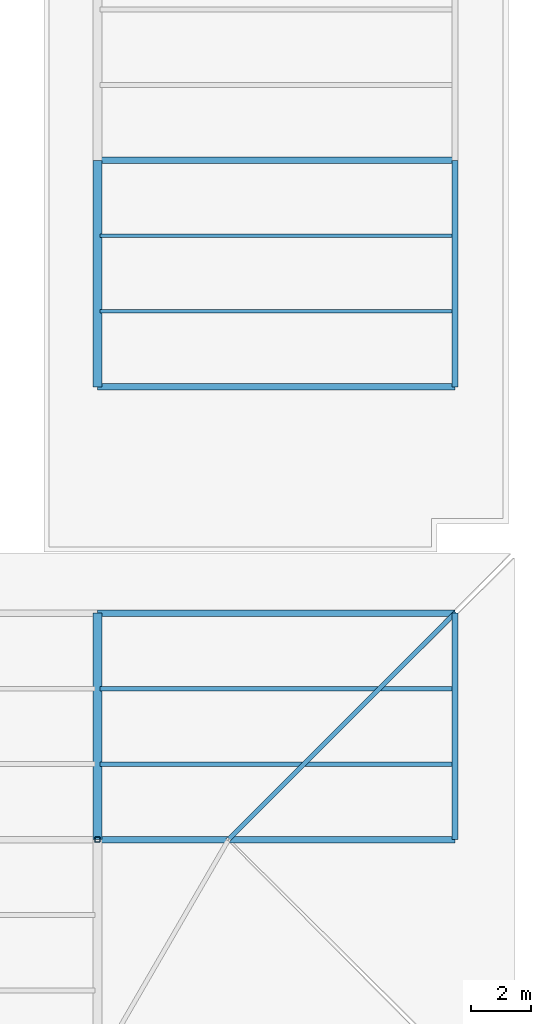
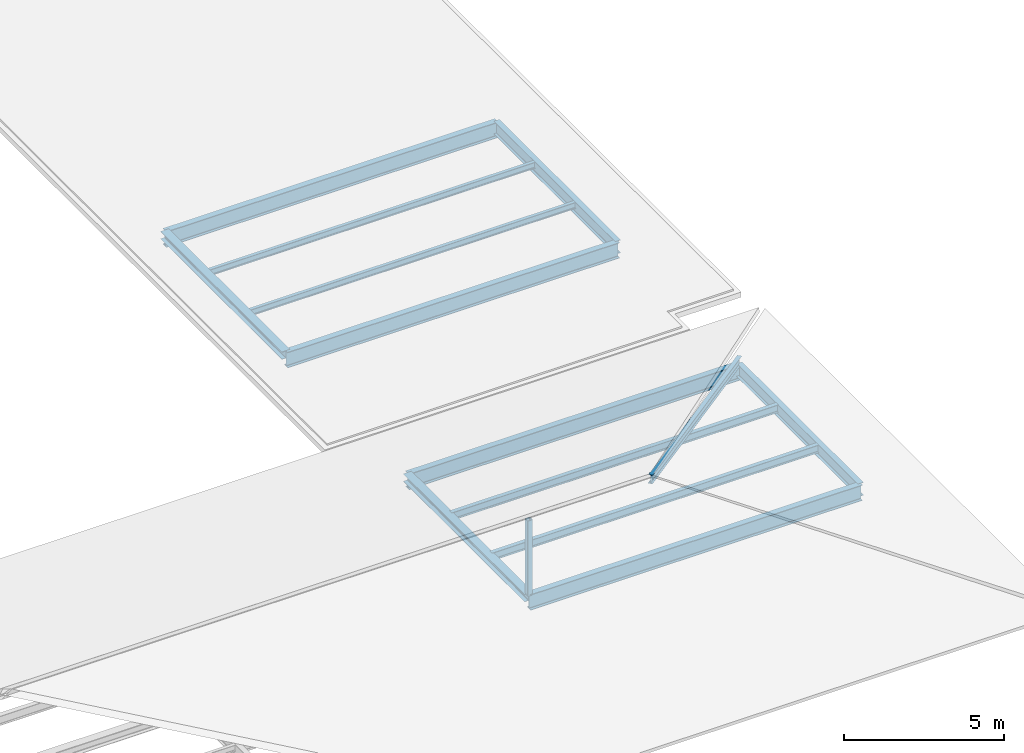
# One storey, part 56 of 120: 12 beams, 2 members.
"""IFC4 building model written with IfcOpenShell, lengths in metres."""

from ifc_helpers import new_model, si_unit, direction, frame, origin, origin_2d, place, context, subcontext, project, spatial, hollow_rectangle, i_section, extrude, material, material_profile, profile_set, type_object, element, save


model = new_model("IFC4")

# Units and contexts
model_context = context("Model", 3, precision=1e-05, world=origin(), true_north=direction((0.0, 1.0)))
body_context = subcontext(model_context, "Body", "Model", "MODEL_VIEW")
ifc_project = project(units=[si_unit("LENGTHUNIT", "METRE"), si_unit("AREAUNIT", "SQUARE_METRE"), si_unit("VOLUMEUNIT", "CUBIC_METRE"), si_unit("PLANEANGLEUNIT", "RADIAN"), si_unit("MASSUNIT", "GRAM", prefix="KILO")], contexts=[model_context])

# Site, building, storey
site_placement = place(None, origin())
site = spatial("IfcSite", under=ifc_project, at=site_placement, CompositionType="ELEMENT")
building_placement = place(site_placement, origin())
building = spatial("IfcBuilding", under=site, at=building_placement, Name="Vekula Escarpment Museum", CompositionType="ELEMENT")
storey_placement = place(building_placement, frame((0.0, 0.0, 13.199951171875)))
storey = spatial("IfcBuildingStorey", under=building, at=storey_placement, Name="L03", CompositionType="ELEMENT", Elevation=13.199951171875)

# Beams
ifc_material_1 = material(Name="Steel S355", Category="steel")
ifc_material_profile_1 = material_profile(ifc_material_1, i_section(OverallWidth=0.199951171875, OverallDepth=0.5, WebThickness=0.01025390625, FlangeThickness=0.01611328125, FilletRadius=0.02099609375, at=origin_2d()), Name="IPE 500")
ifc_profile_set_1 = profile_set([ifc_material_profile_1], Name="Steel S355")
beam_type_1 = type_object("IfcBeamType", Name="BM-GIRD-IPE500", PredefinedType="BEAM", material=ifc_profile_set_1)
for number, where, z_axis, x_axis, name in (
    (1, (179.0, 7.60009765625, -0.5), (0.0, 1.0, 0.0), (-1.0, 0.0, 0.0), "Beam Y L03 1657"),
    (2, (179.0, 22.800048828125, -0.449951171875), (0.0, 1.0, 0.0), (-1.0, 0.0, 0.0), "Beam Y L03 1658"),
):
    element("IfcBeam", number, at=place(storey_placement, frame(where, z_axis=z_axis, x_axis=x_axis)), inside=storey, type_object=beam_type_1, Name=name, PredefinedType="BEAM", context=body_context, shape_type="SweptSolid", body=[
        extrude(i_section(OverallWidth=0.199951171875, OverallDepth=0.5, WebThickness=0.01025390625, FlangeThickness=0.01611328125, FilletRadius=0.02099609375, at=origin_2d()), origin(), (0.0, 0.0, 1.0), 7.599853515625),
    ])
ifc_material_2 = material(Name="Steel S355", Category="steel")
ifc_material_profile_2 = material_profile(ifc_material_2, i_section(OverallWidth=0.219970703125, OverallDepth=0.60009765625, WebThickness=0.011962890625, FlangeThickness=0.01904296875, FilletRadius=0.02392578125, at=origin_2d()), Name="IPE 600")
ifc_profile_set_2 = profile_set([ifc_material_profile_2], Name="Steel S355")
beam_type_2 = type_object("IfcBeamType", Name="BM-GIRD-IPE600", PredefinedType="BEAM", material=ifc_profile_set_2)
for number, where, z_axis, x_axis, name in (
    (3, (167.0, 7.60009765625, -0.550048828125), (1.0, 0.0, 0.0), (0.0, 1.0, 0.0), "Beam X L03 1291"),
    (4, (167.0, 15.199951171875, -0.550048828125), (1.0, 0.0, 0.0), (0.0, 1.0, 0.0), "Beam X L03 1304"),
    (5, (167.0, 22.800048828125, -0.5), (1.0, 0.0, 0.0), (0.0, 1.0, 0.0), "Beam X L03 1309"),
    (6, (167.0, 30.39990234375, -0.5), (1.0, 0.0, 0.0), (0.0, 1.0, 0.0), "Beam X L03 1311"),
):
    element("IfcBeam", number, at=place(storey_placement, frame(where, z_axis=z_axis, x_axis=x_axis)), inside=storey, type_object=beam_type_2, Name=name, PredefinedType="BEAM", context=body_context, shape_type="SweptSolid", body=[
        extrude(i_section(OverallWidth=0.219970703125, OverallDepth=0.60009765625, WebThickness=0.011962890625, FlangeThickness=0.01904296875, FilletRadius=0.02392578125, at=origin_2d()), origin(), (0.0, 0.0, 1.0), 12.0),
    ])
ifc_material_3 = material(Name="Steel S355", Category="steel")
ifc_material_profile_3 = material_profile(ifc_material_3, i_section(OverallWidth=0.1201171875, OverallDepth=0.239990234375, WebThickness=0.006103515625, FlangeThickness=0.009765625, FilletRadius=0.014892578125, at=origin_2d()), Name="IPE 240")
ifc_profile_set_3 = profile_set([ifc_material_profile_3], Name="Steel S355")
beam_type_3 = type_object("IfcBeamType", Name="BM-JST-IPE240", PredefinedType="JOIST", material=ifc_profile_set_3)
for number, where, z_axis, x_axis, name in (
    (7, (167.090087890625, 25.333251953125, -0.320068359375), (1.0, 0.0, 0.0), (0.0, 1.0, 0.0), "Secondary Joist L03 1094"),
    (8, (167.090087890625, 27.86669921875, -0.320068359375), (1.0, 0.0, 0.0), (0.0, 1.0, 0.0), "Secondary Joist L03 1095"),
):
    element("IfcBeam", number, at=place(storey_placement, frame(where, z_axis=z_axis, x_axis=x_axis)), inside=storey, type_object=beam_type_3, Name=name, PredefinedType="JOIST", context=body_context, shape_type="SweptSolid", body=[
        extrude(i_section(OverallWidth=0.1201171875, OverallDepth=0.239990234375, WebThickness=0.006103515625, FlangeThickness=0.009765625, FilletRadius=0.014892578125, at=origin_2d()), origin(), (0.0, 0.0, 1.0), 11.81982421875),
    ])
ifc_material_4 = material(Name="Steel S355", Category="steel")
ifc_material_profile_4 = material_profile(ifc_material_4, i_section(OverallWidth=0.14990234375, OverallDepth=0.300048828125, WebThickness=0.007080078125, FlangeThickness=0.0107421875, FilletRadius=0.014892578125, at=origin_2d()), Name="IPE 300")
ifc_profile_set_4 = profile_set([ifc_material_profile_4], Name="Steel S355")
beam_type_4 = type_object("IfcBeamType", Name="BM-JST-IPE300", PredefinedType="JOIST", material=ifc_profile_set_4)
for number, where, z_axis, x_axis, name in (
    (9, (167.090087890625, 10.13330078125, -0.39990234375), (1.0, 0.0, 0.0), (0.0, 1.0, 0.0), "Secondary Joist L03 1092"),
    (10, (167.090087890625, 12.666748046875, -0.39990234375), (1.0, 0.0, 0.0), (0.0, 1.0, 0.0), "Secondary Joist L03 1093"),
):
    element("IfcBeam", number, at=place(storey_placement, frame(where, z_axis=z_axis, x_axis=x_axis)), inside=storey, type_object=beam_type_4, Name=name, PredefinedType="JOIST", context=body_context, shape_type="SweptSolid", body=[
        extrude(i_section(OverallWidth=0.14990234375, OverallDepth=0.300048828125, WebThickness=0.007080078125, FlangeThickness=0.0107421875, FilletRadius=0.014892578125, at=origin_2d()), origin(), (0.0, 0.0, 1.0), 11.81982421875),
    ])
ifc_material_5 = material(Name="Steel S355", Category="steel")
ifc_material_profile_5 = material_profile(ifc_material_5, i_section(OverallWidth=0.300048828125, OverallDepth=0.2900390625, WebThickness=0.008544921875, FlangeThickness=0.013916015625, FilletRadius=0.027099609375, at=origin_2d()), Name="HEA 300")
ifc_profile_set_5 = profile_set([ifc_material_profile_5], Name="Steel S355")
beam_type_5 = type_object("IfcBeamType", Name="BM-SPAN-HEA300", PredefinedType="SPANDREL", material=ifc_profile_set_5)
for number, where, z_axis, x_axis, name in (
    (11, (167.0, 7.60009765625, -0.39501953125), (0.0, 1.0, 0.0), (-1.0, 0.0, 0.0), "Beam Y L03 1641"),
    (12, (167.0, 22.800048828125, -0.344970703125), (0.0, 1.0, 0.0), (-1.0, 0.0, 0.0), "Beam Y L03 1642"),
):
    element("IfcBeam", number, at=place(storey_placement, frame(where, z_axis=z_axis, x_axis=x_axis)), inside=storey, type_object=beam_type_5, Name=name, PredefinedType="SPANDREL", context=body_context, shape_type="SweptSolid", body=[
        extrude(i_section(OverallWidth=0.300048828125, OverallDepth=0.2900390625, WebThickness=0.008544921875, FlangeThickness=0.013916015625, FilletRadius=0.027099609375, at=origin_2d()), origin(), (0.0, 0.0, 1.0), 7.599853515625),
    ])

# Members
ifc_material_6 = material(Name="Steel S355", Category="steel")
ifc_material_profile_6 = material_profile(ifc_material_6, i_section(OverallWidth=0.14990234375, OverallDepth=0.300048828125, WebThickness=0.007080078125, FlangeThickness=0.0107421875, FilletRadius=0.014892578125, at=origin_2d()), Name="IPE 300")
ifc_profile_set_6 = profile_set([ifc_material_profile_6], Name="Steel S355")
member_type_1 = type_object("IfcMemberType", Name="MB-HIP-RAFTER", PredefinedType="CHORD", material=ifc_profile_set_6)
member_1_placement = place(storey_placement, frame((179.0, 15.199951171875, -0.14990234375), z_axis=(-0.685659277486, -0.685637251811, 0.244484997754), x_axis=(0.707095423592, -0.707118138598, 0.0)))
element("IfcMember", 13, at=member_1_placement, inside=storey, type_object=member_type_1, Name="Entry Pavilion Hip Rafter 4", PredefinedType="CHORD", context=body_context, shape_type="SweptSolid", body=[
    extrude(i_section(OverallWidth=0.14990234375, OverallDepth=0.300048828125, WebThickness=0.007080078125, FlangeThickness=0.0107421875, FilletRadius=0.014892578125, at=origin_2d()), origin(), (0.0, 0.0, 1.0), 11.08447265625),
])
ifc_material_7 = material(Name="Steel S355", Category="steel")
ifc_material_profile_7 = material_profile(ifc_material_7, hollow_rectangle(XDim=0.179931640625, YDim=0.179931640625, WallThickness=0.010009765625, InnerFilletRadius=0.010009765625, OuterFilletRadius=0.02001953125, at=origin_2d()), Name="SHS 180x180x10")
ifc_profile_set_7 = profile_set([ifc_material_profile_7], Name="Steel S355")
member_type_2 = type_object("IfcMemberType", Name="MB-POST-SHS180", PredefinedType="STRUT", material=ifc_profile_set_7)
member_2_placement = place(storey_placement, frame((167.0, 7.60009765625, -0.300048828125), z_axis=(0.0, 0.0, 1.0), x_axis=(1.0, 0.0, 0.0)))
element("IfcMember", 14, at=member_2_placement, inside=storey, type_object=member_type_2, Name="Entry Pavilion Roof King Post 167", PredefinedType="STRUT", context=body_context, shape_type="SweptSolid", body=[
    extrude(hollow_rectangle(XDim=0.179931640625, YDim=0.179931640625, WallThickness=0.010009765625, InnerFilletRadius=0.010009765625, OuterFilletRadius=0.02001953125, at=origin_2d()), origin(), (0.0, 0.0, 1.0), 2.880126953125),
])

save(model, "model.ifc")
